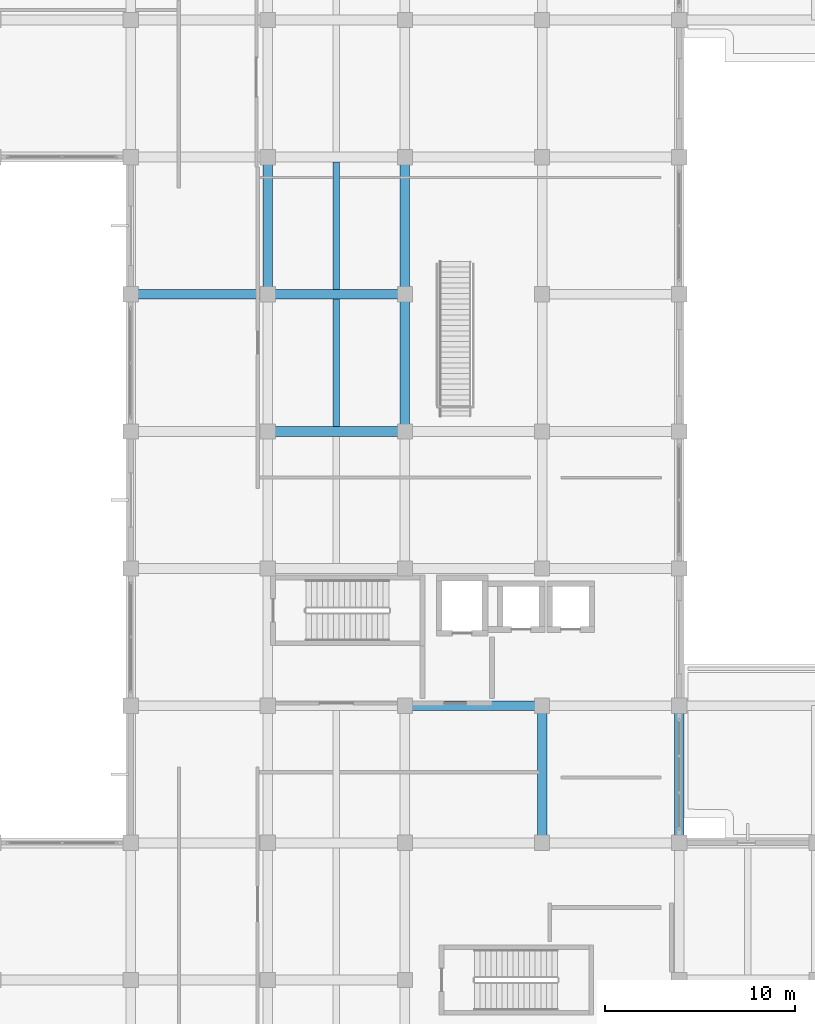
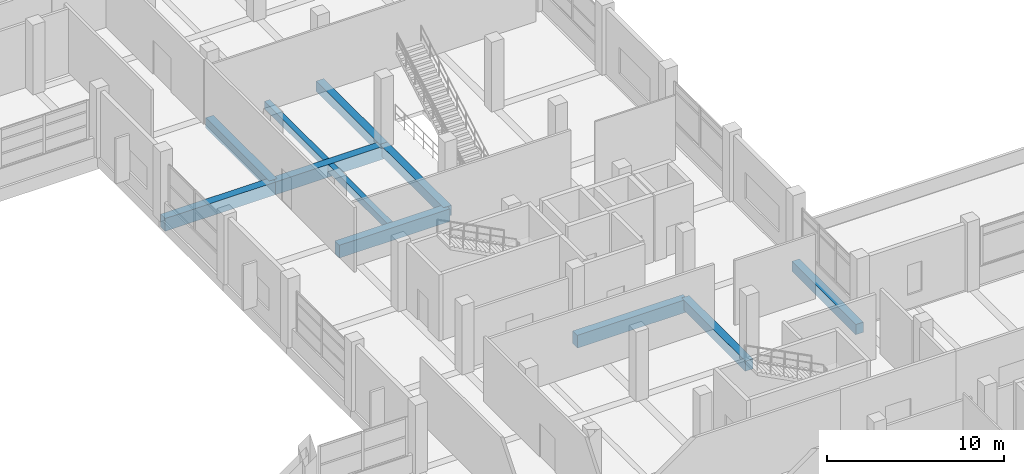
# One storey, part 47 of 140: 11 beams.
"""IFC4 building model written with IfcOpenShell, lengths in metres."""

from ifc_helpers import new_model, si_unit, direction, frame, origin, origin_2d, place, context, subcontext, project, spatial, rectangle, extrude, material, material_profile, profile_set, type_object, element, save


model = new_model("IFC4")

# Units and contexts
model_context = context("Model", 3, precision=1e-05, world=origin(), true_north=direction((0.0, 1.0)))
body_context = subcontext(model_context, "Body", "Model", "MODEL_VIEW")
ifc_project = project(units=[si_unit("LENGTHUNIT", "METRE"), si_unit("AREAUNIT", "SQUARE_METRE"), si_unit("VOLUMEUNIT", "CUBIC_METRE"), si_unit("PLANEANGLEUNIT", "RADIAN"), si_unit("MASSUNIT", "GRAM", prefix="KILO")], contexts=[model_context])

# Site, building, storey
site_placement = place(None, origin())
site = spatial("IfcSite", under=ifc_project, at=site_placement, CompositionType="ELEMENT")
building_placement = place(site_placement, origin())
building = spatial("IfcBuilding", under=site, at=building_placement, Name="Seraya Terrace Polytechnic", CompositionType="ELEMENT")
storey_placement = place(building_placement, frame((0.0, 0.0, 9.60009765625)))
storey = spatial("IfcBuildingStorey", under=building, at=storey_placement, Name="L02", CompositionType="ELEMENT", Elevation=9.60009765625)

# Beams
ifc_material = material(Name="Concrete C40/50", Category="concrete")
ifc_material_profile_1 = material_profile(ifc_material, rectangle(XDim=0.52001953125, YDim=0.8798828125, at=origin_2d()), Name="RC 520x880")
ifc_profile_set_1 = profile_set([ifc_material_profile_1], Name="Concrete C40/50")
beam_type_1 = type_object("IfcBeamType", Name="BM-04", PredefinedType="BEAM", material=ifc_profile_set_1)
beam_1_placement = place(storey_placement, frame((93.60009765625, 36.0, -0.440185546875), z_axis=(1.0, 0.0, 0.0), x_axis=(0.0, 1.0, 0.0)))
element("IfcBeam", 1, at=beam_1_placement, inside=storey, type_object=beam_type_1, Name="Beam BM-04 L02 X (93.6..100.8, 36.0)", PredefinedType="BEAM", context=body_context, shape_type="SweptSolid", body=[
    extrude(rectangle(XDim=0.52001953125, YDim=0.8798828125, at=origin_2d()), origin(), (0.0, 0.0, 1.0), 7.199951171875),
])
beam_2_placement = place(storey_placement, frame((86.39990234375, 50.39990234375, -0.440185546875), z_axis=(1.0, 0.0, 0.0), x_axis=(0.0, 1.0, 0.0)))
element("IfcBeam", 2, at=beam_2_placement, inside=storey, type_object=beam_type_1, Name="Beam BM-04 L02 X (86.4..93.6, 50.4)", PredefinedType="BEAM", context=body_context, shape_type="SweptSolid", body=[
    extrude(rectangle(XDim=0.52001953125, YDim=0.8798828125, at=origin_2d()), origin(), (0.0, 0.0, 1.0), 7.2001953125),
])
beam_3_placement = place(storey_placement, frame((79.199951171875, 57.60009765625, -0.440185546875), z_axis=(1.0, 0.0, 0.0), x_axis=(0.0, 1.0, 0.0)))
element("IfcBeam", 3, at=beam_3_placement, inside=storey, type_object=beam_type_1, Name="Beam BM-04 L02 X (79.2..86.4, 57.6)", PredefinedType="BEAM", context=body_context, shape_type="SweptSolid", body=[
    extrude(rectangle(XDim=0.52001953125, YDim=0.8798828125, at=origin_2d()), origin(), (0.0, 0.0, 1.0), 7.199951171875),
])
beam_4_placement = place(storey_placement, frame((86.39990234375, 57.60009765625, -0.440185546875), z_axis=(1.0, 0.0, 0.0), x_axis=(0.0, 1.0, 0.0)))
element("IfcBeam", 4, at=beam_4_placement, inside=storey, type_object=beam_type_1, Name="Beam BM-04 L02 X (86.4..93.6, 57.6)", PredefinedType="BEAM", context=body_context, shape_type="SweptSolid", body=[
    extrude(rectangle(XDim=0.52001953125, YDim=0.8798828125, at=origin_2d()), origin(), (0.0, 0.0, 1.0), 7.2001953125),
])
ifc_material_profile_2 = material_profile(ifc_material, rectangle(XDim=0.5, YDim=0.699951171875, at=origin_2d()), Name="RC 500x700")
ifc_profile_set_2 = profile_set([ifc_material_profile_2], Name="Concrete C40/50")
beam_type_2 = type_object("IfcBeamType", Name="BM-07", PredefinedType="BEAM", material=ifc_profile_set_2)
beam_5_placement = place(storey_placement, frame((86.39990234375, 57.60009765625, -0.35009765625), z_axis=(0.0, 1.0, 0.0), x_axis=(-1.0, 0.0, 0.0)))
element("IfcBeam", 5, at=beam_5_placement, inside=storey, type_object=beam_type_2, Name="Beam BM-07 L02 Y (86.4, 57.6..64.8)", PredefinedType="BEAM", context=body_context, shape_type="SweptSolid", body=[
    extrude(rectangle(XDim=0.5, YDim=0.699951171875, at=origin_2d()), origin(), (0.0, 0.0, 1.0), 7.199951171875),
])
beam_6_placement = place(storey_placement, frame((93.60009765625, 50.39990234375, -0.35009765625), z_axis=(0.0, 1.0, 0.0), x_axis=(-1.0, 0.0, 0.0)))
element("IfcBeam", 6, at=beam_6_placement, inside=storey, type_object=beam_type_2, Name="Beam BM-07 L02 Y (93.6, 50.4..57.6)", PredefinedType="BEAM", context=body_context, shape_type="SweptSolid", body=[
    extrude(rectangle(XDim=0.5, YDim=0.699951171875, at=origin_2d()), origin(), (0.0, 0.0, 1.0), 7.2001953125),
])
for number, where, z_axis, x_axis, name in (
    (7, (93.60009765625, 57.60009765625, -0.35009765625), (0.0, 1.0, 0.0), (-1.0, 0.0, 0.0), "Beam BM-07 L02 Y (93.6, 57.6..64.8)"),
    (8, (100.800048828125, 28.800048828125, -0.35009765625), (0.0, 1.0, 0.0), (-1.0, 0.0, 0.0), "Beam BM-07 L02 Y (100.8, 28.8..36.0)"),
    (9, (108.0, 28.800048828125, -0.35009765625), (0.0, 1.0, 0.0), (-1.0, 0.0, 0.0), "Beam BM-07 L02 Y (108.0, 28.8..36.0)"),
):
    element("IfcBeam", number, at=place(storey_placement, frame(where, z_axis=z_axis, x_axis=x_axis)), inside=storey, type_object=beam_type_2, Name=name, PredefinedType="BEAM", context=body_context, shape_type="SweptSolid", body=[
        extrude(rectangle(XDim=0.5, YDim=0.699951171875, at=origin_2d()), origin(), (0.0, 0.0, 1.0), 7.199951171875),
    ])
ifc_material_profile_3 = material_profile(ifc_material, rectangle(XDim=0.35009765625, YDim=0.5, at=origin_2d()), Name="RC 350x500")
ifc_profile_set_3 = profile_set([ifc_material_profile_3], Name="Concrete C40/50")
beam_type_3 = type_object("IfcBeamType", Name="JS-03", PredefinedType="JOIST", material=ifc_profile_set_3)
beam_7_placement = place(storey_placement, frame((90.0, 50.659912109375, -0.25), z_axis=(0.0, 1.0, 0.0), x_axis=(-1.0, 0.0, 0.0)))
element("IfcBeam", 10, at=beam_7_placement, inside=storey, type_object=beam_type_3, Name="Secondary joist JS-03 L02", PredefinedType="JOIST", context=body_context, shape_type="SweptSolid", body=[
    extrude(rectangle(XDim=0.35009765625, YDim=0.5, at=origin_2d()), origin(), (0.0, 0.0, 1.0), 6.68017578125),
])
beam_8_placement = place(storey_placement, frame((90.0, 57.860107421875, -0.25), z_axis=(0.0, 1.0, 0.0), x_axis=(-1.0, 0.0, 0.0)))
element("IfcBeam", 11, at=beam_8_placement, inside=storey, type_object=beam_type_3, Name="Secondary joist JS-03 L02", PredefinedType="JOIST", context=body_context, shape_type="SweptSolid", body=[
    extrude(rectangle(XDim=0.35009765625, YDim=0.5, at=origin_2d()), origin(), (0.0, 0.0, 1.0), 6.679931640625),
])

save(model, "model.ifc")
